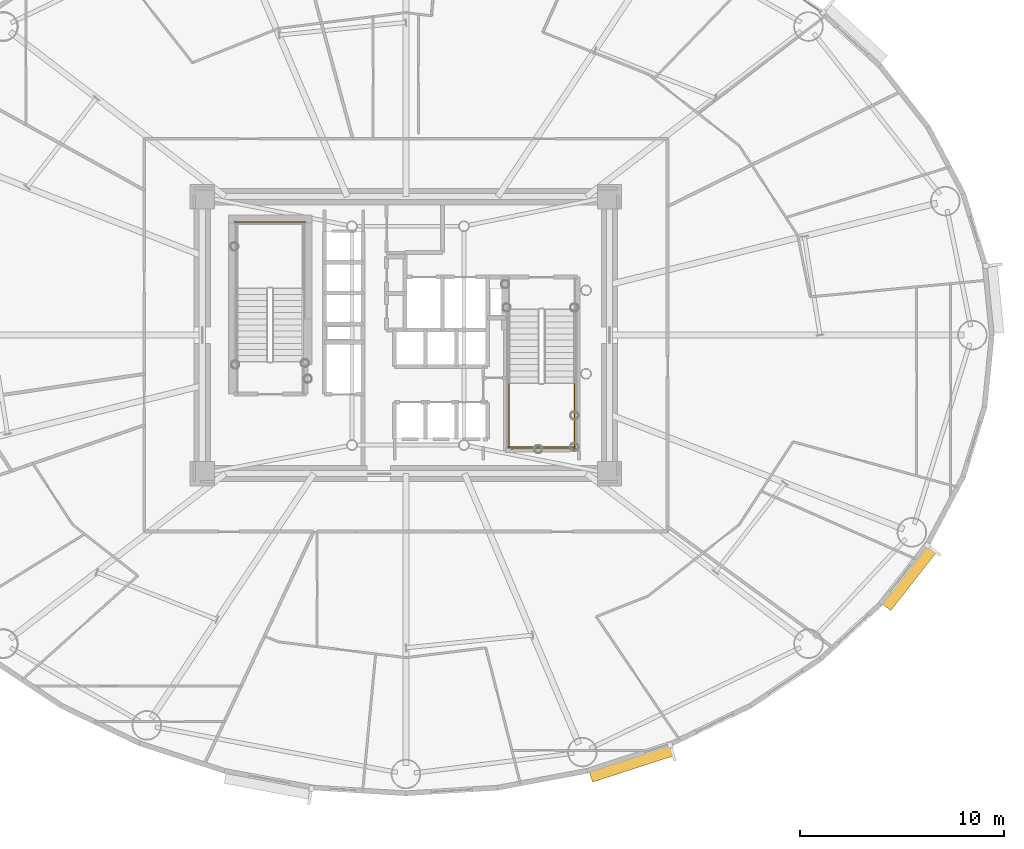
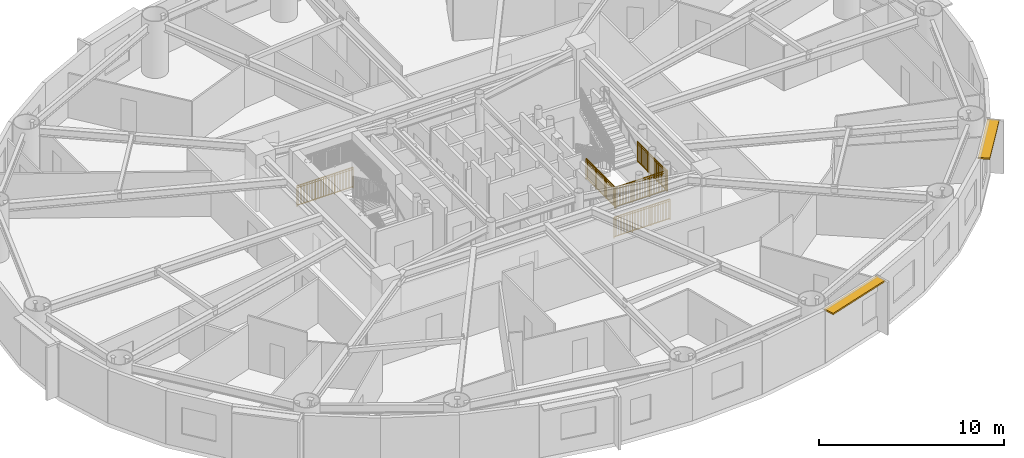
# One storey, part 19 of 21: 5 railings, 2 shading devices.
"""IFC4 building model written with IfcOpenShell, lengths in metres."""

from ifc_helpers import new_model, si_unit, direction, frame, origin, origin_2d, place, context, subcontext, project, spatial, rectangle, extrude, source, transform, mapped, material, layer, layer_set, type_object, element, save


model = new_model("IFC4")

# Units and contexts
model_context = context("Model", 3, precision=1e-05, world=origin(), true_north=direction((0.0, 1.0)))
body_context = subcontext(model_context, "Body", "Model", "MODEL_VIEW")
ifc_project = project(units=[si_unit("LENGTHUNIT", "METRE"), si_unit("AREAUNIT", "SQUARE_METRE"), si_unit("VOLUMEUNIT", "CUBIC_METRE"), si_unit("PLANEANGLEUNIT", "RADIAN"), si_unit("MASSUNIT", "GRAM", prefix="KILO")], contexts=[model_context])

# Site, building, storey
site_placement = place(None, origin())
site = spatial("IfcSite", under=ifc_project, at=site_placement, CompositionType="ELEMENT")
building_placement = place(site_placement, origin())
building = spatial("IfcBuilding", under=site, at=building_placement, Name="Linh Dai School and Residence Tower", CompositionType="ELEMENT")
storey_placement = place(building_placement, frame((0.0, 0.0, 134.699951171875)))
storey = spatial("IfcBuildingStorey", under=building, at=storey_placement, Name="L32", CompositionType="ELEMENT", Elevation=134.699951171875)

# Shading devices
ifc_material_1 = material(Name="Terracotta Ceramic Sunshade", Category="masonry")
ifc_layer = layer(ifc_material_1, 0.10009765625)
ifc_layer_set = layer_set([ifc_layer], Name="Terracotta Ceramic Sunshade")
shading_device_type = type_object("IfcShadingDeviceType", Name="SHD-TC-650", PredefinedType="USERDEFINED", material=ifc_layer_set)
shared_shape_1 = source(origin(), body_context, "Body", "SweptSolid", [
    extrude(rectangle(XDim=4.212890625, YDim=0.64990234375, at=origin_2d()), origin(), (0.0, 0.0, 1.0), 0.10009765625),
])
shading_device_1_placement = place(storey_placement, frame((47.07470703125, 6.004638671875, 3.3798828125), z_axis=(0.0, 0.0, 1.0), x_axis=(-0.951217089442, -0.308522363457, 0.0)))
element("IfcShadingDevice", 1, at=shading_device_1_placement, inside=storey, type_object=shading_device_type, Name="L32 Terracotta Horizontal Sunshade Band 33", ObjectType="SUNSHADE", PredefinedType="USERDEFINED", context=body_context, shape_type="MappedRepresentation", body=[
    mapped(shared_shape_1, transform((0.0, 0.0, 0.0), x_axis=(1.0, 0.0, 0.0), y_axis=(0.0, 1.0, 0.0), z_axis=(0.0, 0.0, 1.0), scale=1.0)),
])
shared_shape_2 = source(origin(), body_context, "Body", "SweptSolid", [
    extrude(rectangle(XDim=3.67041015625, YDim=0.64990234375, at=origin_2d()), origin(), (0.0, 0.0, 1.0), 0.10009765625),
])
shading_device_2_placement = place(storey_placement, frame((60.691650390625, 15.11328125, 3.3798828125), z_axis=(0.0, 0.0, 1.0), x_axis=(-0.616305017583, -0.787507539838, 0.0)))
element("IfcShadingDevice", 2, at=shading_device_2_placement, inside=storey, type_object=shading_device_type, Name="L32 Terracotta Horizontal Sunshade Band 37", ObjectType="SUNSHADE", PredefinedType="USERDEFINED", context=body_context, shape_type="MappedRepresentation", body=[
    mapped(shared_shape_2, transform((0.0, 0.0, 0.0), x_axis=(1.0, 0.0, 0.0), y_axis=(0.0, 1.0, 0.0), z_axis=(0.0, 0.0, 1.0), scale=1.0)),
])

# Railings
ifc_material_2 = material(Name="Structural Steel S355JR", Category="steel")
railing_type = type_object("IfcRailingType", Name="RL-ST-GUARD-1400", PredefinedType="GUARDRAIL", material=ifc_material_2)
shared_shape_3 = source(origin(), body_context, "Body", "SweptSolid", [
    extrude(rectangle(XDim=0.048095703125, YDim=0.048095703125, at=origin_2d()), frame((0.0, 0.0, 1.3759765625), z_axis=(-1.0, 0.0, 0.0), x_axis=(0.0, -1.0, 0.0)), (0.0, 0.0, 1.0), 3.5),
    extrude(rectangle(XDim=0.048095703125, YDim=0.048095703125, at=origin_2d()), frame((0.0, 0.0, 0.10009765625), z_axis=(-1.0, 0.0, 0.0), x_axis=(0.0, -1.0, 0.0)), (0.0, 0.0, 1.0), 3.5),
    extrude(rectangle(XDim=0.030029296875, YDim=0.030029296875, at=origin_2d()), frame((0.0, 0.0, 1.239990234375), z_axis=(-1.0, 0.0, 0.0), x_axis=(0.0, -1.0, 0.0)), (0.0, 0.0, 1.0), 3.5),
    extrude(rectangle(XDim=0.02001953125, YDim=0.02001953125, at=origin_2d()), frame((-0.09716796875, 0.0, 0.10009765625)), (0.0, 0.0, 1.0), 1.251708984375),
    extrude(rectangle(XDim=0.02001953125, YDim=0.02001953125, at=origin_2d()), frame((-0.1943359375, 0.0, 0.10009765625)), (0.0, 0.0, 1.0), 1.251708984375),
    extrude(rectangle(XDim=0.02001953125, YDim=0.02001953125, at=origin_2d()), frame((-0.291748046875, 0.0, 0.10009765625)), (0.0, 0.0, 1.0), 1.251708984375),
    extrude(rectangle(XDim=0.02001953125, YDim=0.02001953125, at=origin_2d()), frame((-0.388916015625, 0.0, 0.10009765625)), (0.0, 0.0, 1.0), 1.251708984375),
    extrude(rectangle(XDim=0.02001953125, YDim=0.02001953125, at=origin_2d()), frame((-0.486083984375, 0.0, 0.10009765625)), (0.0, 0.0, 1.0), 1.251708984375),
    extrude(rectangle(XDim=0.02001953125, YDim=0.02001953125, at=origin_2d()), frame((-0.583251953125, 0.0, 0.10009765625)), (0.0, 0.0, 1.0), 1.251708984375),
    extrude(rectangle(XDim=0.02001953125, YDim=0.02001953125, at=origin_2d()), frame((-0.6806640625, 0.0, 0.10009765625)), (0.0, 0.0, 1.0), 1.251708984375),
    extrude(rectangle(XDim=0.02001953125, YDim=0.02001953125, at=origin_2d()), frame((-0.77783203125, 0.0, 0.10009765625)), (0.0, 0.0, 1.0), 1.251708984375),
    extrude(rectangle(XDim=0.02001953125, YDim=0.02001953125, at=origin_2d()), frame((-0.875, 0.0, 0.10009765625)), (0.0, 0.0, 1.0), 1.251708984375),
    extrude(rectangle(XDim=0.02001953125, YDim=0.02001953125, at=origin_2d()), frame((-0.97216796875, 0.0, 0.10009765625)), (0.0, 0.0, 1.0), 1.251708984375),
    extrude(rectangle(XDim=0.02001953125, YDim=0.02001953125, at=origin_2d()), frame((-1.0693359375, 0.0, 0.10009765625)), (0.0, 0.0, 1.0), 1.251708984375),
    extrude(rectangle(XDim=0.02001953125, YDim=0.02001953125, at=origin_2d()), frame((-1.263916015625, 0.0, 0.10009765625)), (0.0, 0.0, 1.0), 1.251708984375),
    extrude(rectangle(XDim=0.02001953125, YDim=0.02001953125, at=origin_2d()), frame((-1.361083984375, 0.0, 0.10009765625)), (0.0, 0.0, 1.0), 1.251708984375),
    extrude(rectangle(XDim=0.02001953125, YDim=0.02001953125, at=origin_2d()), frame((-1.458251953125, 0.0, 0.10009765625)), (0.0, 0.0, 1.0), 1.251708984375),
    extrude(rectangle(XDim=0.02001953125, YDim=0.02001953125, at=origin_2d()), frame((-1.5556640625, 0.0, 0.10009765625)), (0.0, 0.0, 1.0), 1.251708984375),
    extrude(rectangle(XDim=0.02001953125, YDim=0.02001953125, at=origin_2d()), frame((-1.65283203125, 0.0, 0.10009765625)), (0.0, 0.0, 1.0), 1.251708984375),
    extrude(rectangle(XDim=0.02001953125, YDim=0.02001953125, at=origin_2d()), frame((-1.75, 0.0, 0.10009765625)), (0.0, 0.0, 1.0), 1.251708984375),
    extrude(rectangle(XDim=0.02001953125, YDim=0.02001953125, at=origin_2d()), frame((-1.84716796875, 0.0, 0.10009765625)), (0.0, 0.0, 1.0), 1.251708984375),
    extrude(rectangle(XDim=0.02001953125, YDim=0.02001953125, at=origin_2d()), frame((-1.9443359375, 0.0, 0.10009765625)), (0.0, 0.0, 1.0), 1.251708984375),
    extrude(rectangle(XDim=0.02001953125, YDim=0.02001953125, at=origin_2d()), frame((-2.041748046875, 0.0, 0.10009765625)), (0.0, 0.0, 1.0), 1.251708984375),
    extrude(rectangle(XDim=0.02001953125, YDim=0.02001953125, at=origin_2d()), frame((-2.138916015625, 0.0, 0.10009765625)), (0.0, 0.0, 1.0), 1.251708984375),
    extrude(rectangle(XDim=0.02001953125, YDim=0.02001953125, at=origin_2d()), frame((-2.236083984375, 0.0, 0.10009765625)), (0.0, 0.0, 1.0), 1.251708984375),
    extrude(rectangle(XDim=0.02001953125, YDim=0.02001953125, at=origin_2d()), frame((-2.4306640625, 0.0, 0.10009765625)), (0.0, 0.0, 1.0), 1.251708984375),
    extrude(rectangle(XDim=0.02001953125, YDim=0.02001953125, at=origin_2d()), frame((-2.52783203125, 0.0, 0.10009765625)), (0.0, 0.0, 1.0), 1.251708984375),
    extrude(rectangle(XDim=0.02001953125, YDim=0.02001953125, at=origin_2d()), frame((-2.625, 0.0, 0.10009765625)), (0.0, 0.0, 1.0), 1.251708984375),
    extrude(rectangle(XDim=0.02001953125, YDim=0.02001953125, at=origin_2d()), frame((-2.72216796875, 0.0, 0.10009765625)), (0.0, 0.0, 1.0), 1.251708984375),
    extrude(rectangle(XDim=0.02001953125, YDim=0.02001953125, at=origin_2d()), frame((-2.8193359375, 0.0, 0.10009765625)), (0.0, 0.0, 1.0), 1.251708984375),
    extrude(rectangle(XDim=0.02001953125, YDim=0.02001953125, at=origin_2d()), frame((-2.916748046875, 0.0, 0.10009765625)), (0.0, 0.0, 1.0), 1.251708984375),
    extrude(rectangle(XDim=0.02001953125, YDim=0.02001953125, at=origin_2d()), frame((-3.013916015625, 0.0, 0.10009765625)), (0.0, 0.0, 1.0), 1.251708984375),
    extrude(rectangle(XDim=0.02001953125, YDim=0.02001953125, at=origin_2d()), frame((-3.111083984375, 0.0, 0.10009765625)), (0.0, 0.0, 1.0), 1.251708984375),
    extrude(rectangle(XDim=0.02001953125, YDim=0.02001953125, at=origin_2d()), frame((-3.208251953125, 0.0, 0.10009765625)), (0.0, 0.0, 1.0), 1.251708984375),
    extrude(rectangle(XDim=0.02001953125, YDim=0.02001953125, at=origin_2d()), frame((-3.3056640625, 0.0, 0.10009765625)), (0.0, 0.0, 1.0), 1.251708984375),
    extrude(rectangle(XDim=0.02001953125, YDim=0.02001953125, at=origin_2d()), frame((-3.40283203125, 0.0, 0.10009765625)), (0.0, 0.0, 1.0), 1.251708984375),
    extrude(rectangle(XDim=0.0419921875, YDim=0.0419921875, at=origin_2d()), origin(), (0.0, 0.0, 1.0), 1.3759765625),
    extrude(rectangle(XDim=0.0419921875, YDim=0.0419921875, at=origin_2d()), frame((-1.166748046875, 0.0, 0.0)), (0.0, 0.0, 1.0), 1.3759765625),
    extrude(rectangle(XDim=0.0419921875, YDim=0.0419921875, at=origin_2d()), frame((-2.333251953125, 0.0, 0.0)), (0.0, 0.0, 1.0), 1.3759765625),
    extrude(rectangle(XDim=0.0419921875, YDim=0.0419921875, at=origin_2d()), frame((-3.5, 0.0, 0.0)), (0.0, 0.0, 1.0), 1.3759765625),
])
railing_1_placement = place(storey_placement, frame((31.080078125, 32.550048828125, 0.0)))
element("IfcRailing", 3, at=railing_1_placement, inside=storey, type_object=railing_type, Name="L32 ST1 stair guard 12", PredefinedType="GUARDRAIL", context=body_context, shape_type="MappedRepresentation", body=[
    mapped(shared_shape_3, transform((0.0, 0.0, 0.0), x_axis=(1.0, 0.0, 0.0), y_axis=(0.0, 1.0, 0.0), z_axis=(0.0, 0.0, 1.0), scale=1.0)),
])
shared_shape_4 = source(origin(), body_context, "Body", "SweptSolid", [
    extrude(rectangle(XDim=0.048095703125, YDim=0.048095703125, at=origin_2d()), frame((0.0, 0.0, 1.3759765625), z_axis=(1.0, 0.0, 0.0), x_axis=(0.0, 1.0, 0.0)), (0.0, 0.0, 1.0), 3.300048828125),
    extrude(rectangle(XDim=0.048095703125, YDim=0.048095703125, at=origin_2d()), frame((0.0, 0.0, 0.10009765625), z_axis=(1.0, 0.0, 0.0), x_axis=(0.0, 1.0, 0.0)), (0.0, 0.0, 1.0), 3.300048828125),
    extrude(rectangle(XDim=0.030029296875, YDim=0.030029296875, at=origin_2d()), frame((0.0, 0.0, 1.239990234375), z_axis=(1.0, 0.0, 0.0), x_axis=(0.0, 1.0, 0.0)), (0.0, 0.0, 1.0), 3.300048828125),
    extrude(rectangle(XDim=0.02001953125, YDim=0.02001953125, at=origin_2d()), frame((0.09716796875, 0.0, 0.10009765625)), (0.0, 0.0, 1.0), 1.251708984375),
    extrude(rectangle(XDim=0.02001953125, YDim=0.02001953125, at=origin_2d()), frame((0.194091796875, 0.0, 0.10009765625)), (0.0, 0.0, 1.0), 1.251708984375),
    extrude(rectangle(XDim=0.02001953125, YDim=0.02001953125, at=origin_2d()), frame((0.291259765625, 0.0, 0.10009765625)), (0.0, 0.0, 1.0), 1.251708984375),
    extrude(rectangle(XDim=0.02001953125, YDim=0.02001953125, at=origin_2d()), frame((0.38818359375, 0.0, 0.10009765625)), (0.0, 0.0, 1.0), 1.251708984375),
    extrude(rectangle(XDim=0.02001953125, YDim=0.02001953125, at=origin_2d()), frame((0.4853515625, 0.0, 0.10009765625)), (0.0, 0.0, 1.0), 1.251708984375),
    extrude(rectangle(XDim=0.02001953125, YDim=0.02001953125, at=origin_2d()), frame((0.582275390625, 0.0, 0.10009765625)), (0.0, 0.0, 1.0), 1.251708984375),
    extrude(rectangle(XDim=0.02001953125, YDim=0.02001953125, at=origin_2d()), frame((0.679443359375, 0.0, 0.10009765625)), (0.0, 0.0, 1.0), 1.251708984375),
    extrude(rectangle(XDim=0.02001953125, YDim=0.02001953125, at=origin_2d()), frame((0.7763671875, 0.0, 0.10009765625)), (0.0, 0.0, 1.0), 1.251708984375),
    extrude(rectangle(XDim=0.02001953125, YDim=0.02001953125, at=origin_2d()), frame((0.87353515625, 0.0, 0.10009765625)), (0.0, 0.0, 1.0), 1.251708984375),
    extrude(rectangle(XDim=0.02001953125, YDim=0.02001953125, at=origin_2d()), frame((0.970703125, 0.0, 0.10009765625)), (0.0, 0.0, 1.0), 1.251708984375),
    extrude(rectangle(XDim=0.02001953125, YDim=0.02001953125, at=origin_2d()), frame((1.164794921875, 0.0, 0.10009765625)), (0.0, 0.0, 1.0), 1.251708984375),
    extrude(rectangle(XDim=0.02001953125, YDim=0.02001953125, at=origin_2d()), frame((1.26171875, 0.0, 0.10009765625)), (0.0, 0.0, 1.0), 1.251708984375),
    extrude(rectangle(XDim=0.02001953125, YDim=0.02001953125, at=origin_2d()), frame((1.35888671875, 0.0, 0.10009765625)), (0.0, 0.0, 1.0), 1.251708984375),
    extrude(rectangle(XDim=0.02001953125, YDim=0.02001953125, at=origin_2d()), frame((1.455810546875, 0.0, 0.10009765625)), (0.0, 0.0, 1.0), 1.251708984375),
    extrude(rectangle(XDim=0.02001953125, YDim=0.02001953125, at=origin_2d()), frame((1.552978515625, 0.0, 0.10009765625)), (0.0, 0.0, 1.0), 1.251708984375),
    extrude(rectangle(XDim=0.02001953125, YDim=0.02001953125, at=origin_2d()), frame((1.64990234375, 0.0, 0.10009765625)), (0.0, 0.0, 1.0), 1.251708984375),
    extrude(rectangle(XDim=0.02001953125, YDim=0.02001953125, at=origin_2d()), frame((1.7470703125, 0.0, 0.10009765625)), (0.0, 0.0, 1.0), 1.251708984375),
    extrude(rectangle(XDim=0.02001953125, YDim=0.02001953125, at=origin_2d()), frame((1.84423828125, 0.0, 0.10009765625)), (0.0, 0.0, 1.0), 1.251708984375),
    extrude(rectangle(XDim=0.02001953125, YDim=0.02001953125, at=origin_2d()), frame((1.941162109375, 0.0, 0.10009765625)), (0.0, 0.0, 1.0), 1.251708984375),
    extrude(rectangle(XDim=0.02001953125, YDim=0.02001953125, at=origin_2d()), frame((2.038330078125, 0.0, 0.10009765625)), (0.0, 0.0, 1.0), 1.251708984375),
    extrude(rectangle(XDim=0.02001953125, YDim=0.02001953125, at=origin_2d()), frame((2.13525390625, 0.0, 0.10009765625)), (0.0, 0.0, 1.0), 1.251708984375),
    extrude(rectangle(XDim=0.02001953125, YDim=0.02001953125, at=origin_2d()), frame((2.329345703125, 0.0, 0.10009765625)), (0.0, 0.0, 1.0), 1.251708984375),
    extrude(rectangle(XDim=0.02001953125, YDim=0.02001953125, at=origin_2d()), frame((2.426513671875, 0.0, 0.10009765625)), (0.0, 0.0, 1.0), 1.251708984375),
    extrude(rectangle(XDim=0.02001953125, YDim=0.02001953125, at=origin_2d()), frame((2.523681640625, 0.0, 0.10009765625)), (0.0, 0.0, 1.0), 1.251708984375),
    extrude(rectangle(XDim=0.02001953125, YDim=0.02001953125, at=origin_2d()), frame((2.62060546875, 0.0, 0.10009765625)), (0.0, 0.0, 1.0), 1.251708984375),
    extrude(rectangle(XDim=0.02001953125, YDim=0.02001953125, at=origin_2d()), frame((2.7177734375, 0.0, 0.10009765625)), (0.0, 0.0, 1.0), 1.251708984375),
    extrude(rectangle(XDim=0.02001953125, YDim=0.02001953125, at=origin_2d()), frame((2.814697265625, 0.0, 0.10009765625)), (0.0, 0.0, 1.0), 1.251708984375),
    extrude(rectangle(XDim=0.02001953125, YDim=0.02001953125, at=origin_2d()), frame((2.911865234375, 0.0, 0.10009765625)), (0.0, 0.0, 1.0), 1.251708984375),
    extrude(rectangle(XDim=0.02001953125, YDim=0.02001953125, at=origin_2d()), frame((3.0087890625, 0.0, 0.10009765625)), (0.0, 0.0, 1.0), 1.251708984375),
    extrude(rectangle(XDim=0.02001953125, YDim=0.02001953125, at=origin_2d()), frame((3.10595703125, 0.0, 0.10009765625)), (0.0, 0.0, 1.0), 1.251708984375),
    extrude(rectangle(XDim=0.02001953125, YDim=0.02001953125, at=origin_2d()), frame((3.202880859375, 0.0, 0.10009765625)), (0.0, 0.0, 1.0), 1.251708984375),
    extrude(rectangle(XDim=0.0419921875, YDim=0.0419921875, at=origin_2d()), origin(), (0.0, 0.0, 1.0), 1.3759765625),
    extrude(rectangle(XDim=0.0419921875, YDim=0.0419921875, at=origin_2d()), frame((1.10009765625, 0.0, 0.0)), (0.0, 0.0, 1.0), 1.3759765625),
    extrude(rectangle(XDim=0.0419921875, YDim=0.0419921875, at=origin_2d()), frame((2.199951171875, 0.0, 0.0)), (0.0, 0.0, 1.0), 1.3759765625),
    extrude(rectangle(XDim=0.0419921875, YDim=0.0419921875, at=origin_2d()), frame((3.300048828125, 0.0, 0.0)), (0.0, 0.0, 1.0), 1.3759765625),
])
railing_2_placement = place(storey_placement, frame((41.02001953125, 21.5, 1.875)))
element("IfcRailing", 4, at=railing_2_placement, inside=storey, type_object=railing_type, Name="L32 ST2 stair guard 5", PredefinedType="GUARDRAIL", context=body_context, shape_type="MappedRepresentation", body=[
    mapped(shared_shape_4, transform((0.0, 0.0, 0.0), x_axis=(1.0, 0.0, 0.0), y_axis=(0.0, 1.0, 0.0), z_axis=(0.0, 0.0, 1.0), scale=1.0)),
])
shared_shape_5 = source(origin(), body_context, "Body", "SweptSolid", [
    extrude(rectangle(XDim=0.048095703125, YDim=0.048095703125, at=origin_2d()), frame((0.0, 0.0, 1.3759765625), z_axis=(1.0, 0.0, 0.0), x_axis=(0.0, 1.0, 0.0)), (0.0, 0.0, 1.0), 3.5),
    extrude(rectangle(XDim=0.048095703125, YDim=0.048095703125, at=origin_2d()), frame((0.0, 0.0, 0.10009765625), z_axis=(1.0, 0.0, 0.0), x_axis=(0.0, 1.0, 0.0)), (0.0, 0.0, 1.0), 3.5),
    extrude(rectangle(XDim=0.030029296875, YDim=0.030029296875, at=origin_2d()), frame((0.0, 0.0, 1.239990234375), z_axis=(1.0, 0.0, 0.0), x_axis=(0.0, 1.0, 0.0)), (0.0, 0.0, 1.0), 3.5),
    extrude(rectangle(XDim=0.02001953125, YDim=0.02001953125, at=origin_2d()), frame((0.09716796875, 0.0, 0.10009765625)), (0.0, 0.0, 1.0), 1.251708984375),
    extrude(rectangle(XDim=0.02001953125, YDim=0.02001953125, at=origin_2d()), frame((0.1943359375, 0.0, 0.10009765625)), (0.0, 0.0, 1.0), 1.251708984375),
    extrude(rectangle(XDim=0.02001953125, YDim=0.02001953125, at=origin_2d()), frame((0.291748046875, 0.0, 0.10009765625)), (0.0, 0.0, 1.0), 1.251708984375),
    extrude(rectangle(XDim=0.02001953125, YDim=0.02001953125, at=origin_2d()), frame((0.388916015625, 0.0, 0.10009765625)), (0.0, 0.0, 1.0), 1.251708984375),
    extrude(rectangle(XDim=0.02001953125, YDim=0.02001953125, at=origin_2d()), frame((0.486083984375, 0.0, 0.10009765625)), (0.0, 0.0, 1.0), 1.251708984375),
    extrude(rectangle(XDim=0.02001953125, YDim=0.02001953125, at=origin_2d()), frame((0.583251953125, 0.0, 0.10009765625)), (0.0, 0.0, 1.0), 1.251708984375),
    extrude(rectangle(XDim=0.02001953125, YDim=0.02001953125, at=origin_2d()), frame((0.6806640625, 0.0, 0.10009765625)), (0.0, 0.0, 1.0), 1.251708984375),
    extrude(rectangle(XDim=0.02001953125, YDim=0.02001953125, at=origin_2d()), frame((0.77783203125, 0.0, 0.10009765625)), (0.0, 0.0, 1.0), 1.251708984375),
    extrude(rectangle(XDim=0.02001953125, YDim=0.02001953125, at=origin_2d()), frame((0.875, 0.0, 0.10009765625)), (0.0, 0.0, 1.0), 1.251708984375),
    extrude(rectangle(XDim=0.02001953125, YDim=0.02001953125, at=origin_2d()), frame((0.97216796875, 0.0, 0.10009765625)), (0.0, 0.0, 1.0), 1.251708984375),
    extrude(rectangle(XDim=0.02001953125, YDim=0.02001953125, at=origin_2d()), frame((1.0693359375, 0.0, 0.10009765625)), (0.0, 0.0, 1.0), 1.251708984375),
    extrude(rectangle(XDim=0.02001953125, YDim=0.02001953125, at=origin_2d()), frame((1.263916015625, 0.0, 0.10009765625)), (0.0, 0.0, 1.0), 1.251708984375),
    extrude(rectangle(XDim=0.02001953125, YDim=0.02001953125, at=origin_2d()), frame((1.361083984375, 0.0, 0.10009765625)), (0.0, 0.0, 1.0), 1.251708984375),
    extrude(rectangle(XDim=0.02001953125, YDim=0.02001953125, at=origin_2d()), frame((1.458251953125, 0.0, 0.10009765625)), (0.0, 0.0, 1.0), 1.251708984375),
    extrude(rectangle(XDim=0.02001953125, YDim=0.02001953125, at=origin_2d()), frame((1.5556640625, 0.0, 0.10009765625)), (0.0, 0.0, 1.0), 1.251708984375),
    extrude(rectangle(XDim=0.02001953125, YDim=0.02001953125, at=origin_2d()), frame((1.65283203125, 0.0, 0.10009765625)), (0.0, 0.0, 1.0), 1.251708984375),
    extrude(rectangle(XDim=0.02001953125, YDim=0.02001953125, at=origin_2d()), frame((1.75, 0.0, 0.10009765625)), (0.0, 0.0, 1.0), 1.251708984375),
    extrude(rectangle(XDim=0.02001953125, YDim=0.02001953125, at=origin_2d()), frame((1.84716796875, 0.0, 0.10009765625)), (0.0, 0.0, 1.0), 1.251708984375),
    extrude(rectangle(XDim=0.02001953125, YDim=0.02001953125, at=origin_2d()), frame((1.9443359375, 0.0, 0.10009765625)), (0.0, 0.0, 1.0), 1.251708984375),
    extrude(rectangle(XDim=0.02001953125, YDim=0.02001953125, at=origin_2d()), frame((2.041748046875, 0.0, 0.10009765625)), (0.0, 0.0, 1.0), 1.251708984375),
    extrude(rectangle(XDim=0.02001953125, YDim=0.02001953125, at=origin_2d()), frame((2.138916015625, 0.0, 0.10009765625)), (0.0, 0.0, 1.0), 1.251708984375),
    extrude(rectangle(XDim=0.02001953125, YDim=0.02001953125, at=origin_2d()), frame((2.236083984375, 0.0, 0.10009765625)), (0.0, 0.0, 1.0), 1.251708984375),
    extrude(rectangle(XDim=0.02001953125, YDim=0.02001953125, at=origin_2d()), frame((2.4306640625, 0.0, 0.10009765625)), (0.0, 0.0, 1.0), 1.251708984375),
    extrude(rectangle(XDim=0.02001953125, YDim=0.02001953125, at=origin_2d()), frame((2.52783203125, 0.0, 0.10009765625)), (0.0, 0.0, 1.0), 1.251708984375),
    extrude(rectangle(XDim=0.02001953125, YDim=0.02001953125, at=origin_2d()), frame((2.625, 0.0, 0.10009765625)), (0.0, 0.0, 1.0), 1.251708984375),
    extrude(rectangle(XDim=0.02001953125, YDim=0.02001953125, at=origin_2d()), frame((2.72216796875, 0.0, 0.10009765625)), (0.0, 0.0, 1.0), 1.251708984375),
    extrude(rectangle(XDim=0.02001953125, YDim=0.02001953125, at=origin_2d()), frame((2.8193359375, 0.0, 0.10009765625)), (0.0, 0.0, 1.0), 1.251708984375),
    extrude(rectangle(XDim=0.02001953125, YDim=0.02001953125, at=origin_2d()), frame((2.916748046875, 0.0, 0.10009765625)), (0.0, 0.0, 1.0), 1.251708984375),
    extrude(rectangle(XDim=0.02001953125, YDim=0.02001953125, at=origin_2d()), frame((3.013916015625, 0.0, 0.10009765625)), (0.0, 0.0, 1.0), 1.251708984375),
    extrude(rectangle(XDim=0.02001953125, YDim=0.02001953125, at=origin_2d()), frame((3.111083984375, 0.0, 0.10009765625)), (0.0, 0.0, 1.0), 1.251708984375),
    extrude(rectangle(XDim=0.02001953125, YDim=0.02001953125, at=origin_2d()), frame((3.208251953125, 0.0, 0.10009765625)), (0.0, 0.0, 1.0), 1.251708984375),
    extrude(rectangle(XDim=0.02001953125, YDim=0.02001953125, at=origin_2d()), frame((3.3056640625, 0.0, 0.10009765625)), (0.0, 0.0, 1.0), 1.251708984375),
    extrude(rectangle(XDim=0.02001953125, YDim=0.02001953125, at=origin_2d()), frame((3.40283203125, 0.0, 0.10009765625)), (0.0, 0.0, 1.0), 1.251708984375),
    extrude(rectangle(XDim=0.0419921875, YDim=0.0419921875, at=origin_2d()), origin(), (0.0, 0.0, 1.0), 1.3759765625),
    extrude(rectangle(XDim=0.0419921875, YDim=0.0419921875, at=origin_2d()), frame((1.166748046875, 0.0, 0.0)), (0.0, 0.0, 1.0), 1.3759765625),
    extrude(rectangle(XDim=0.0419921875, YDim=0.0419921875, at=origin_2d()), frame((2.333251953125, 0.0, 0.0)), (0.0, 0.0, 1.0), 1.3759765625),
    extrude(rectangle(XDim=0.0419921875, YDim=0.0419921875, at=origin_2d()), frame((3.5, 0.0, 0.0)), (0.0, 0.0, 1.0), 1.3759765625),
])
railing_3_placement = place(storey_placement, frame((40.919921875, 21.39990234375, 0.0)))
element("IfcRailing", 5, at=railing_3_placement, inside=storey, type_object=railing_type, Name="L32 ST2 stair guard 12", PredefinedType="GUARDRAIL", context=body_context, shape_type="MappedRepresentation", body=[
    mapped(shared_shape_5, transform((0.0, 0.0, 0.0), x_axis=(1.0, 0.0, 0.0), y_axis=(0.0, 1.0, 0.0), z_axis=(0.0, 0.0, 1.0), scale=1.0)),
])
shared_shape_6 = source(origin(), body_context, "Body", "SweptSolid", [
    extrude(rectangle(XDim=0.048095703125, YDim=0.048095703125, at=origin_2d()), frame((0.0, 0.0, 1.3759765625), z_axis=(0.0, -1.0, 0.0), x_axis=(1.0, 0.0, 0.0)), (0.0, 0.0, 1.0), 3.199951171875),
    extrude(rectangle(XDim=0.048095703125, YDim=0.048095703125, at=origin_2d()), frame((0.0, 0.0, 0.10009765625), z_axis=(0.0, -1.0, 0.0), x_axis=(1.0, 0.0, 0.0)), (0.0, 0.0, 1.0), 3.199951171875),
    extrude(rectangle(XDim=0.030029296875, YDim=0.030029296875, at=origin_2d()), frame((0.0, 0.0, 1.239990234375), z_axis=(0.0, -1.0, 0.0), x_axis=(1.0, 0.0, 0.0)), (0.0, 0.0, 1.0), 3.199951171875),
    extrude(rectangle(XDim=0.02001953125, YDim=0.02001953125, at=origin_2d()), frame((0.0, -0.096923828125, 0.10009765625)), (0.0, 0.0, 1.0), 1.251708984375),
    extrude(rectangle(XDim=0.02001953125, YDim=0.02001953125, at=origin_2d()), frame((0.0, -0.19384765625, 0.10009765625)), (0.0, 0.0, 1.0), 1.251708984375),
    extrude(rectangle(XDim=0.02001953125, YDim=0.02001953125, at=origin_2d()), frame((0.0, -0.291015625, 0.10009765625)), (0.0, 0.0, 1.0), 1.251708984375),
    extrude(rectangle(XDim=0.02001953125, YDim=0.02001953125, at=origin_2d()), frame((0.0, -0.387939453125, 0.10009765625)), (0.0, 0.0, 1.0), 1.251708984375),
    extrude(rectangle(XDim=0.02001953125, YDim=0.02001953125, at=origin_2d()), frame((0.0, -0.48486328125, 0.10009765625)), (0.0, 0.0, 1.0), 1.251708984375),
    extrude(rectangle(XDim=0.02001953125, YDim=0.02001953125, at=origin_2d()), frame((0.0, -0.581787109375, 0.10009765625)), (0.0, 0.0, 1.0), 1.251708984375),
    extrude(rectangle(XDim=0.02001953125, YDim=0.02001953125, at=origin_2d()), frame((0.0, -0.6787109375, 0.10009765625)), (0.0, 0.0, 1.0), 1.251708984375),
    extrude(rectangle(XDim=0.02001953125, YDim=0.02001953125, at=origin_2d()), frame((0.0, -0.775634765625, 0.10009765625)), (0.0, 0.0, 1.0), 1.251708984375),
    extrude(rectangle(XDim=0.02001953125, YDim=0.02001953125, at=origin_2d()), frame((0.0, -0.872802734375, 0.10009765625)), (0.0, 0.0, 1.0), 1.251708984375),
    extrude(rectangle(XDim=0.02001953125, YDim=0.02001953125, at=origin_2d()), frame((0.0, -0.9697265625, 0.10009765625)), (0.0, 0.0, 1.0), 1.251708984375),
    extrude(rectangle(XDim=0.02001953125, YDim=0.02001953125, at=origin_2d()), frame((0.0, -1.16357421875, 0.10009765625)), (0.0, 0.0, 1.0), 1.251708984375),
    extrude(rectangle(XDim=0.02001953125, YDim=0.02001953125, at=origin_2d()), frame((0.0, -1.260498046875, 0.10009765625)), (0.0, 0.0, 1.0), 1.251708984375),
    extrude(rectangle(XDim=0.02001953125, YDim=0.02001953125, at=origin_2d()), frame((0.0, -1.357666015625, 0.10009765625)), (0.0, 0.0, 1.0), 1.251708984375),
    extrude(rectangle(XDim=0.02001953125, YDim=0.02001953125, at=origin_2d()), frame((0.0, -1.45458984375, 0.10009765625)), (0.0, 0.0, 1.0), 1.251708984375),
    extrude(rectangle(XDim=0.02001953125, YDim=0.02001953125, at=origin_2d()), frame((0.0, -1.551513671875, 0.10009765625)), (0.0, 0.0, 1.0), 1.251708984375),
    extrude(rectangle(XDim=0.02001953125, YDim=0.02001953125, at=origin_2d()), frame((0.0, -1.6484375, 0.10009765625)), (0.0, 0.0, 1.0), 1.251708984375),
    extrude(rectangle(XDim=0.02001953125, YDim=0.02001953125, at=origin_2d()), frame((0.0, -1.745361328125, 0.10009765625)), (0.0, 0.0, 1.0), 1.251708984375),
    extrude(rectangle(XDim=0.02001953125, YDim=0.02001953125, at=origin_2d()), frame((0.0, -1.84228515625, 0.10009765625)), (0.0, 0.0, 1.0), 1.251708984375),
    extrude(rectangle(XDim=0.02001953125, YDim=0.02001953125, at=origin_2d()), frame((0.0, -1.939453125, 0.10009765625)), (0.0, 0.0, 1.0), 1.251708984375),
    extrude(rectangle(XDim=0.02001953125, YDim=0.02001953125, at=origin_2d()), frame((0.0, -2.036376953125, 0.10009765625)), (0.0, 0.0, 1.0), 1.251708984375),
    extrude(rectangle(XDim=0.02001953125, YDim=0.02001953125, at=origin_2d()), frame((0.0, -2.230224609375, 0.10009765625)), (0.0, 0.0, 1.0), 1.251708984375),
    extrude(rectangle(XDim=0.02001953125, YDim=0.02001953125, at=origin_2d()), frame((0.0, -2.3271484375, 0.10009765625)), (0.0, 0.0, 1.0), 1.251708984375),
    extrude(rectangle(XDim=0.02001953125, YDim=0.02001953125, at=origin_2d()), frame((0.0, -2.42431640625, 0.10009765625)), (0.0, 0.0, 1.0), 1.251708984375),
    extrude(rectangle(XDim=0.02001953125, YDim=0.02001953125, at=origin_2d()), frame((0.0, -2.521240234375, 0.10009765625)), (0.0, 0.0, 1.0), 1.251708984375),
    extrude(rectangle(XDim=0.02001953125, YDim=0.02001953125, at=origin_2d()), frame((0.0, -2.6181640625, 0.10009765625)), (0.0, 0.0, 1.0), 1.251708984375),
    extrude(rectangle(XDim=0.02001953125, YDim=0.02001953125, at=origin_2d()), frame((0.0, -2.715087890625, 0.10009765625)), (0.0, 0.0, 1.0), 1.251708984375),
    extrude(rectangle(XDim=0.02001953125, YDim=0.02001953125, at=origin_2d()), frame((0.0, -2.81201171875, 0.10009765625)), (0.0, 0.0, 1.0), 1.251708984375),
    extrude(rectangle(XDim=0.02001953125, YDim=0.02001953125, at=origin_2d()), frame((0.0, -2.908935546875, 0.10009765625)), (0.0, 0.0, 1.0), 1.251708984375),
    extrude(rectangle(XDim=0.02001953125, YDim=0.02001953125, at=origin_2d()), frame((0.0, -3.006103515625, 0.10009765625)), (0.0, 0.0, 1.0), 1.251708984375),
    extrude(rectangle(XDim=0.02001953125, YDim=0.02001953125, at=origin_2d()), frame((0.0, -3.10302734375, 0.10009765625)), (0.0, 0.0, 1.0), 1.251708984375),
    extrude(rectangle(XDim=0.0419921875, YDim=0.0419921875, at=origin_2d()), origin(), (0.0, 0.0, 1.0), 1.3759765625),
    extrude(rectangle(XDim=0.0419921875, YDim=0.0419921875, at=origin_2d()), frame((0.0, -1.066650390625, 0.0)), (0.0, 0.0, 1.0), 1.3759765625),
    extrude(rectangle(XDim=0.0419921875, YDim=0.0419921875, at=origin_2d()), frame((0.0, -2.13330078125, 0.0)), (0.0, 0.0, 1.0), 1.3759765625),
    extrude(rectangle(XDim=0.0419921875, YDim=0.0419921875, at=origin_2d()), frame((0.0, -3.199951171875, 0.0)), (0.0, 0.0, 1.0), 1.3759765625),
])
for number, where, name in (
    (6, (41.070068359375, 24.64990234375, 1.875), "L32 ST2 stair guard 3"),
    (7, (44.27001953125, 24.64990234375, 1.875), "L32 ST2 stair guard 4"),
):
    element("IfcRailing", number, at=place(storey_placement, frame(where)), inside=storey, type_object=railing_type, Name=name, PredefinedType="GUARDRAIL", context=body_context, shape_type="MappedRepresentation", body=[
        mapped(shared_shape_6, transform((0.0, 0.0, 0.0), x_axis=(1.0, 0.0, 0.0), y_axis=(0.0, 1.0, 0.0), z_axis=(0.0, 0.0, 1.0), scale=1.0)),
    ])

save(model, "model.ifc")
